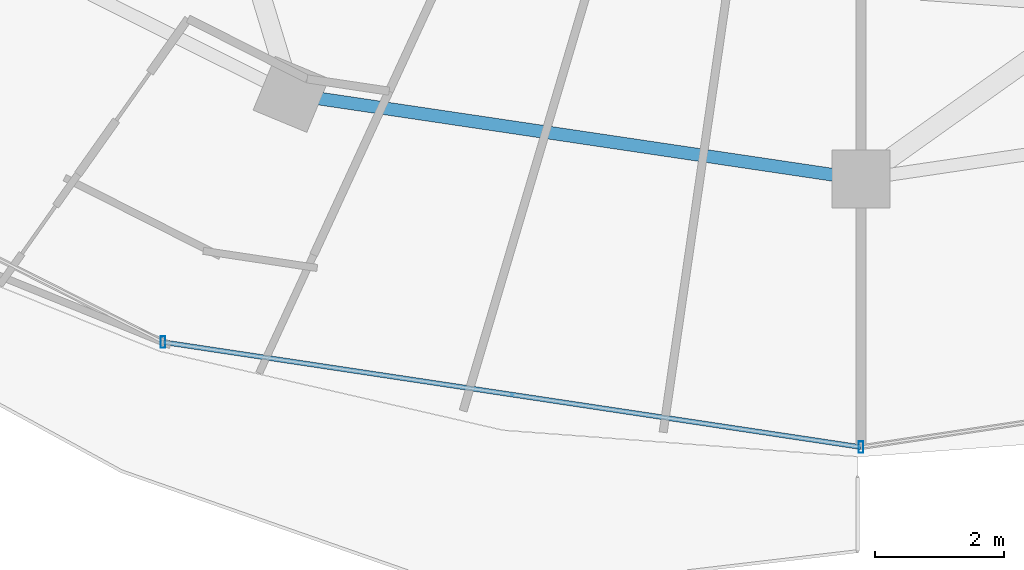
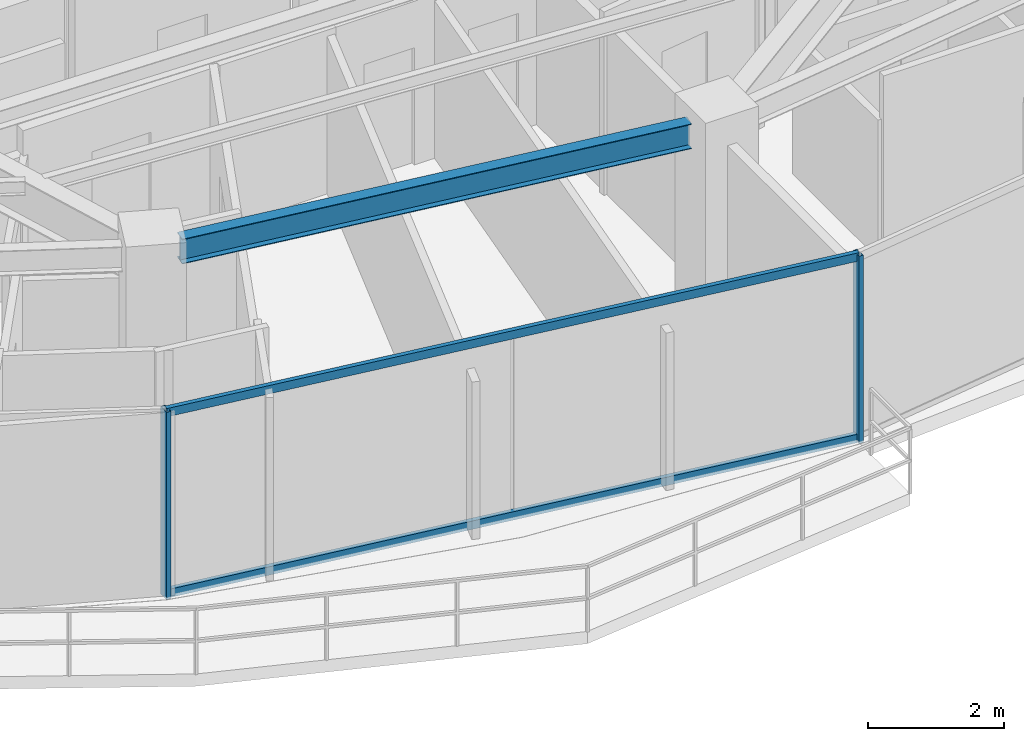
# One storey, part 5 of 33: 4 members, 1 beam, 1 element without a shape of its own.
"""IFC4 building model written with IfcOpenShell, lengths in metres."""

from ifc_helpers import new_model, si_unit, direction, frame, origin, origin_2d, place, context, subcontext, project, spatial, hollow_rectangle, i_section, extrude, material, material_profile, profile_set, type_object, element, aggregate, save


model = new_model("IFC4")

# Units and contexts
model_context = context("Model", 3, precision=1e-05, world=origin(), true_north=direction((0.0, 1.0)))
body_context = subcontext(model_context, "Body", "Model", "MODEL_VIEW")
ifc_project = project(units=[si_unit("LENGTHUNIT", "METRE"), si_unit("AREAUNIT", "SQUARE_METRE"), si_unit("VOLUMEUNIT", "CUBIC_METRE"), si_unit("PLANEANGLEUNIT", "RADIAN"), si_unit("MASSUNIT", "GRAM", prefix="KILO")], contexts=[model_context])

# Site, building, storey
site_placement = place(None, origin())
site = spatial("IfcSite", under=ifc_project, at=site_placement, CompositionType="ELEMENT")
building_placement = place(site_placement, origin())
building = spatial("IfcBuilding", under=site, at=building_placement, Name="Vorneva Point Tower", CompositionType="ELEMENT")
storey_placement = place(building_placement, frame((0.0, 0.0, 203.64990234375)))
storey = spatial("IfcBuildingStorey", under=building, at=storey_placement, Name="L55", CompositionType="ELEMENT", Elevation=203.64990234375)

# Beam
ifc_material_1 = material(Name="Steel S355", Category="steel")
ifc_material_profile_1 = material_profile(ifc_material_1, i_section(OverallWidth=0.198974609375, OverallDepth=0.446044921875, WebThickness=0.008056640625, FlangeThickness=0.011962890625, at=origin_2d()), Name="45B1")
ifc_profile_set_1 = profile_set([ifc_material_profile_1], Name="Steel S355")
beam_type = type_object("IfcBeamType", Name="BM-SPN-45B1", PredefinedType="SPANDREL", material=ifc_profile_set_1)
beam_placement = place(storey_placement, frame((29.609375, 10.04541015625, 3.067138671875), z_axis=(0.989165476332, -0.146804837907, 0.0), x_axis=(0.146804837907, 0.989165476332, 0.0)))
element("IfcBeam", 1, at=beam_placement, inside=storey, type_object=beam_type, Name="L55 Perimeter Spandrel Ring Beam 12", PredefinedType="SPANDREL", context=body_context, shape_type="SweptSolid", body=[
    extrude(i_section(OverallWidth=0.198974609375, OverallDepth=0.446044921875, WebThickness=0.008056640625, FlangeThickness=0.011962890625, at=origin_2d()), origin(), (0.0, 0.0, 1.0), 8.04736328125),
])

# Curtain wall, members
ifc_material_2 = material(Name="Pale anodised aluminium", Category="aluminium")
curtain_wall_type = type_object("IfcCurtainWallType", Name="CW-RES-SYS", PredefinedType="NOTDEFINED", material=ifc_material_2)
curtain_wall_placement = place(storey_placement, origin())
curtain_wall = element("IfcCurtainWall", 2, at=curtain_wall_placement, inside=storey, type_object=curtain_wall_type, Name="L55 Unitised Curtain Wall CW-L55-R03", PredefinedType="NOTDEFINED")
ifc_material_profile_2 = material_profile(ifc_material_2, hollow_rectangle(XDim=0.074951171875, YDim=0.179931640625, WallThickness=0.00390625, at=origin_2d()), Name="AL-MUL 180x75x4")
ifc_profile_set_2 = profile_set([ifc_material_profile_2], Name="Pale anodised aluminium")
member_type_1 = type_object("IfcMemberType", Name="CW-MUL-180", PredefinedType="MULLION", material=ifc_profile_set_2)
member_1_placement = place(storey_placement, frame((27.19677734375, 6.275146484375, -0.039794921875), z_axis=(0.0, 0.0, 1.0), x_axis=(1.0, 0.0, 0.0)))
member_1 = element("IfcMember", 3, at=member_1_placement, type_object=member_type_1, Name="CW-L55-R03 Mullion 03", PredefinedType="MULLION", context=body_context, shape_type="SweptSolid", body=[
    extrude(hollow_rectangle(XDim=0.074951171875, YDim=0.179931640625, WallThickness=0.00390625, at=origin_2d()), origin(), (0.0, 0.0, 1.0), 3.35986328125),
])
member_2_placement = place(storey_placement, frame((38.0, 4.64990234375, -0.039794921875), z_axis=(0.0, 0.0, 1.0), x_axis=(1.0, 0.0, 0.0)))
member_2 = element("IfcMember", 4, at=member_2_placement, type_object=member_type_1, Name="CW-L55-R03 Mullion 04", PredefinedType="MULLION", context=body_context, shape_type="SweptSolid", body=[
    extrude(hollow_rectangle(XDim=0.074951171875, YDim=0.179931640625, WallThickness=0.00390625, at=origin_2d()), origin(), (0.0, 0.0, 1.0), 3.35986328125),
])
ifc_material_profile_3 = material_profile(ifc_material_2, hollow_rectangle(XDim=0.074951171875, YDim=0.14990234375, WallThickness=0.00390625, at=origin_2d()), Name="AL-TRN 150x75x4")
ifc_profile_set_3 = profile_set([ifc_material_profile_3], Name="Pale anodised aluminium")
member_type_2 = type_object("IfcMemberType", Name="CW-TRN-150", PredefinedType="USERDEFINED", material=ifc_profile_set_3)
member_3_placement = place(storey_placement, frame((27.19677734375, 6.275146484375, 0.02001953125), z_axis=(0.988872333273, -0.148766624239, 0.0), x_axis=(0.148766624239, 0.988872333273, 0.0)))
member_3 = element("IfcMember", 5, at=member_3_placement, type_object=member_type_2, Name="CW-L55-R03 Transom 03.1", ObjectType="TRANSOM", PredefinedType="USERDEFINED", context=body_context, shape_type="SweptSolid", body=[
    extrude(hollow_rectangle(XDim=0.074951171875, YDim=0.14990234375, WallThickness=0.00390625, at=origin_2d()), origin(), (0.0, 0.0, 1.0), 10.9248046875),
])
member_4_placement = place(storey_placement, frame((27.19677734375, 6.275146484375, 3.27001953125), z_axis=(0.988872333273, -0.148766624239, 0.0), x_axis=(0.148766624239, 0.988872333273, 0.0)))
member_4 = element("IfcMember", 6, at=member_4_placement, type_object=member_type_2, Name="CW-L55-R03 Transom 03.2", ObjectType="TRANSOM", PredefinedType="USERDEFINED", context=body_context, shape_type="SweptSolid", body=[
    extrude(hollow_rectangle(XDim=0.074951171875, YDim=0.14990234375, WallThickness=0.00390625, at=origin_2d()), origin(), (0.0, 0.0, 1.0), 10.9248046875),
])
aggregate(curtain_wall, [member_1, member_2, member_3, member_4])

save(model, "model.ifc")
